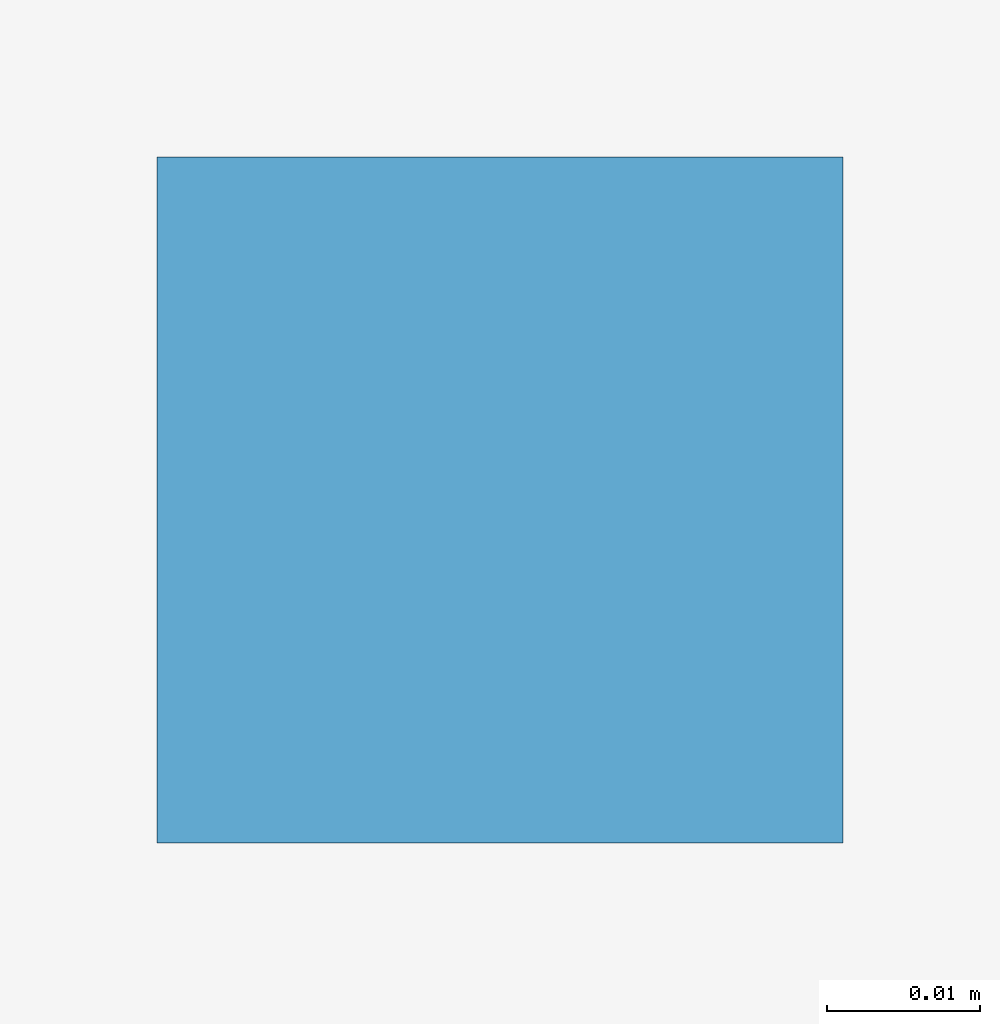
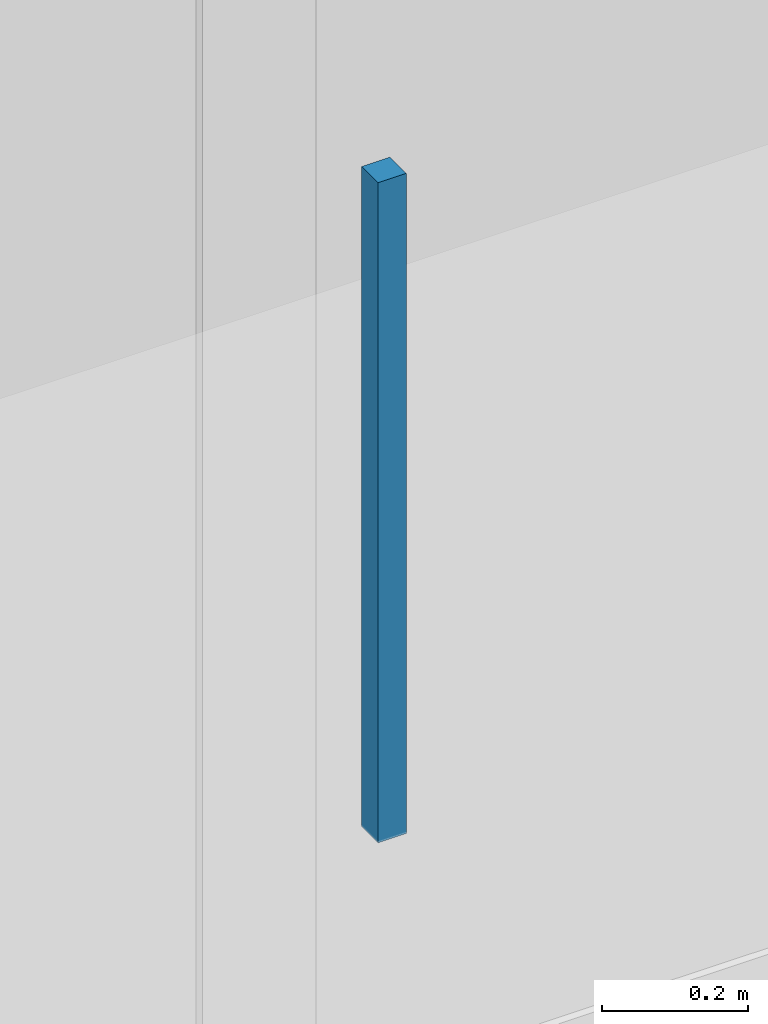
# One storey, part 71 of 89: 1 discrete accessory.
"""IFC4 building model written with IfcOpenShell, lengths in metres."""

from ifc_helpers import new_model, si_unit, direction, frame, origin, origin_2d, place, context, subcontext, project, spatial, rectangle, extrude, material, type_object, element, save


model = new_model("IFC4")

# Units and contexts
model_context = context("Model", 3, precision=1e-05, world=origin(), true_north=direction((0.0, 1.0)))
body_context = subcontext(model_context, "Body", "Model", "MODEL_VIEW")
ifc_project = project(units=[si_unit("LENGTHUNIT", "METRE"), si_unit("AREAUNIT", "SQUARE_METRE"), si_unit("VOLUMEUNIT", "CUBIC_METRE"), si_unit("PLANEANGLEUNIT", "RADIAN"), si_unit("MASSUNIT", "GRAM", prefix="KILO"), si_unit("THERMODYNAMICTEMPERATUREUNIT", "KELVIN"), si_unit("POWERUNIT", "WATT")], contexts=[model_context])

# Site, building, storey
site_placement = place(None, origin())
site = spatial("IfcSite", under=ifc_project, at=site_placement, CompositionType="ELEMENT")
building_placement = place(site_placement, origin())
building = spatial("IfcBuilding", under=site, at=building_placement, Name="Tallowbark Science Centre", CompositionType="ELEMENT")
storey_placement = place(building_placement, frame((0.0, 0.0, 14.39990234375)))
storey = spatial("IfcBuildingStorey", under=building, at=storey_placement, Name="L03", CompositionType="ELEMENT", Elevation=14.39990234375)

# Discrete accessory
ifc_material = material(Name="Galvanised Steel Grade C350L0 (350 MPa)", Category="steel")
discrete_accessory_type = type_object("IfcDiscreteAccessoryType", Name="ACC-CLG-HNG", PredefinedType="BRACKET", material=ifc_material)
discrete_accessory_placement = place(storey_placement, frame((132.3125, 109.2548828125, 3.2060546875), z_axis=(0.0, 0.0, 1.0), x_axis=(1.0, 0.0, 0.0)))
element("IfcDiscreteAccessory", 1, at=discrete_accessory_placement, inside=storey, type_object=discrete_accessory_type, Name="Ceiling Hanger Bracket L03-1043", PredefinedType="BRACKET", context=body_context, shape_type="SweptSolid", body=[
    extrude(rectangle(XDim=0.044921875, YDim=0.044921875, at=origin_2d()), origin(), (0.0, 0.0, 1.0), 1.10693359375),
])

save(model, "model.ifc")
